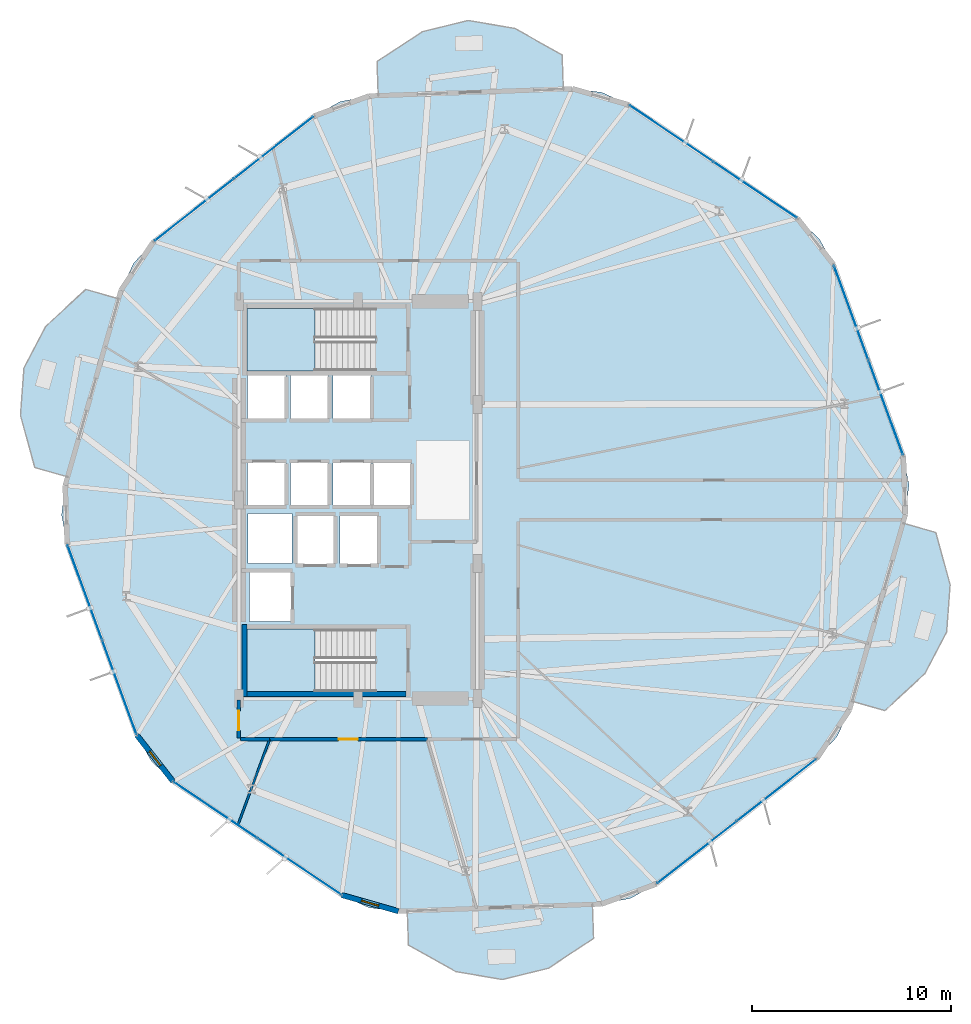
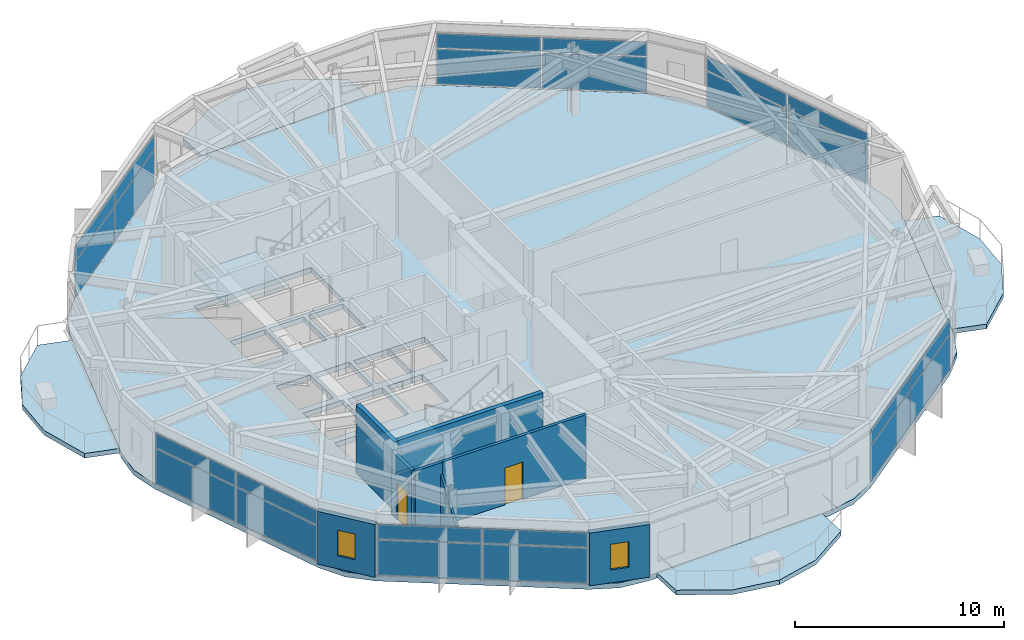
# One storey, part 15 of 21: 24 plates, 8 walls, 7 slabs, 2 doors, 2 windows, 4 openings, 8 elements without a shape of their own.
"""IFC4 building model written with IfcOpenShell, lengths in metres."""

from ifc_helpers import new_model, si_unit, direction, frame, frame_2d, origin, origin_2d, place, context, subcontext, project, spatial, polyline, rectangle, outline, extrude, material, layer, layer_set, type_object, element, fill, aggregate, save


model = new_model("IFC4")

# Units and contexts
model_context = context("Model", 3, precision=1e-05, world=origin(), true_north=direction((0.0, 1.0)))
body_context = subcontext(model_context, "Body", "Model", "MODEL_VIEW")
ifc_project = project(units=[si_unit("LENGTHUNIT", "METRE"), si_unit("AREAUNIT", "SQUARE_METRE"), si_unit("VOLUMEUNIT", "CUBIC_METRE"), si_unit("PLANEANGLEUNIT", "RADIAN"), si_unit("MASSUNIT", "GRAM", prefix="KILO")], contexts=[model_context])

# Site, building, storey
site_placement = place(None, origin())
site = spatial("IfcSite", under=ifc_project, at=site_placement, CompositionType="ELEMENT")
building_placement = place(site_placement, origin())
building = spatial("IfcBuilding", under=site, at=building_placement, Name="Soratama Intermodal Tower", CompositionType="ELEMENT")
storey_placement = place(building_placement, frame((0.0, 0.0, 34.60009765625)))
storey = spatial("IfcBuildingStorey", under=building, at=storey_placement, Name="L07", CompositionType="ELEMENT", Elevation=34.60009765625)

# Curtain wall, plates
ifc_material_1 = material(Name="Double-glazed aluminium curtain wall", Category="aluminium")
ifc_layer_1 = layer(ifc_material_1, 0.159912109375)
ifc_layer_set_1 = layer_set([ifc_layer_1], Name="Double-glazed aluminium curtain wall")
curtain_wall_type = type_object("IfcCurtainWallType", Name="CW-SYS-2", PredefinedType="NOTDEFINED", material=ifc_layer_set_1)
curtain_wall_1_placement = place(storey_placement, origin())
curtain_wall_1 = element("IfcCurtainWall", 1, at=curtain_wall_1_placement, inside=storey, type_object=curtain_wall_type, Name="L07 Faceted Curtain Wall F01", PredefinedType="NOTDEFINED")
ifc_material_2 = material(Name="Low-E laminated double glazing", Category="glass")
ifc_layer_2 = layer(ifc_material_2, 0.031982421875)
ifc_layer_set_2 = layer_set([ifc_layer_2], Name="Low-E laminated double glazing")
plate_type = type_object("IfcPlateType", Name="PT-CWP-2", PredefinedType="CURTAIN_PANEL", material=ifc_layer_set_2)
plate_1_placement = place(storey_placement, frame((65.1591796875, 29.648681640625, 0.059814453125), z_axis=(0.0, 0.0, 1.0), x_axis=(-0.342679098735, 0.939452518912, 0.0)))
plate_1 = element("IfcPlate", 2, at=plate_1_placement, type_object=plate_type, Name="CW-2 panel 1.1", PredefinedType="CURTAIN_PANEL", context=body_context, shape_type="SweptSolid", body=[
    extrude(rectangle(XDim=5.021484375, YDim=0.028076171875, at=origin_2d()), origin(), (0.0, 0.0, 1.0), 2.06005859375),
])
plate_2_placement = place(storey_placement, frame((65.1591796875, 29.648681640625, 2.1796875), z_axis=(0.0, 0.0, 1.0), x_axis=(-0.342679098735, 0.939452518912, 0.0)))
plate_2 = element("IfcPlate", 3, at=plate_2_placement, type_object=plate_type, Name="CW-2 panel 1.2", PredefinedType="CURTAIN_PANEL", context=body_context, shape_type="SweptSolid", body=[
    extrude(rectangle(XDim=5.021484375, YDim=0.028076171875, at=origin_2d()), origin(), (0.0, 0.0, 1.0), 0.839111328125),
])
plate_3_placement = place(storey_placement, frame((63.417724609375, 34.422607421875, 0.059814453125), z_axis=(0.0, 0.0, 1.0), x_axis=(-0.342679098735, 0.939452518912, 0.0)))
plate_3 = element("IfcPlate", 4, at=plate_3_placement, type_object=plate_type, Name="CW-2 panel 2.1", PredefinedType="CURTAIN_PANEL", context=body_context, shape_type="SweptSolid", body=[
    extrude(rectangle(XDim=5.021484375, YDim=0.028076171875, at=origin_2d()), origin(), (0.0, 0.0, 1.0), 2.06005859375),
])
plate_4_placement = place(storey_placement, frame((63.417724609375, 34.422607421875, 2.1796875), z_axis=(0.0, 0.0, 1.0), x_axis=(-0.342679098735, 0.939452518912, 0.0)))
plate_4 = element("IfcPlate", 5, at=plate_4_placement, type_object=plate_type, Name="CW-2 panel 2.2", PredefinedType="CURTAIN_PANEL", context=body_context, shape_type="SweptSolid", body=[
    extrude(rectangle(XDim=5.021484375, YDim=0.028076171875, at=origin_2d()), origin(), (0.0, 0.0, 1.0), 0.839111328125),
])
aggregate(curtain_wall_1, [plate_1, plate_2, plate_3, plate_4])

curtain_wall_2_placement = place(storey_placement, origin())
curtain_wall_2 = element("IfcCurtainWall", 6, at=curtain_wall_2_placement, inside=storey, type_object=curtain_wall_type, Name="L07 Faceted Curtain Wall F02", PredefinedType="NOTDEFINED")
plate_5_placement = place(storey_placement, frame((58.57666015625, 40.610107421875, 0.059814453125), z_axis=(0.0, 0.0, 1.0), x_axis=(-0.82943008257, 0.558610542443, 0.0)))
plate_5 = element("IfcPlate", 7, at=plate_5_placement, type_object=plate_type, Name="CW-2 panel 1.1", PredefinedType="CURTAIN_PANEL", context=body_context, shape_type="SweptSolid", body=[
    extrude(rectangle(XDim=5.021484375, YDim=0.028076171875, at=origin_2d()), origin(), (0.0, 0.0, 1.0), 2.06005859375),
])
plate_6_placement = place(storey_placement, frame((58.57666015625, 40.610107421875, 2.1796875), z_axis=(0.0, 0.0, 1.0), x_axis=(-0.82943008257, 0.558610542443, 0.0)))
plate_6 = element("IfcPlate", 8, at=plate_6_placement, type_object=plate_type, Name="CW-2 panel 1.2", PredefinedType="CURTAIN_PANEL", context=body_context, shape_type="SweptSolid", body=[
    extrude(rectangle(XDim=5.021484375, YDim=0.028076171875, at=origin_2d()), origin(), (0.0, 0.0, 1.0), 0.839111328125),
])
plate_7_placement = place(storey_placement, frame((54.36181640625, 43.44873046875, 0.059814453125), z_axis=(0.0, 0.0, 1.0), x_axis=(-0.82943008257, 0.558610542443, 0.0)))
plate_7 = element("IfcPlate", 9, at=plate_7_placement, type_object=plate_type, Name="CW-2 panel 2.1", PredefinedType="CURTAIN_PANEL", context=body_context, shape_type="SweptSolid", body=[
    extrude(rectangle(XDim=5.021484375, YDim=0.028076171875, at=origin_2d()), origin(), (0.0, 0.0, 1.0), 2.06005859375),
])
plate_8_placement = place(storey_placement, frame((54.36181640625, 43.44873046875, 2.1796875), z_axis=(0.0, 0.0, 1.0), x_axis=(-0.82943008257, 0.558610542443, 0.0)))
plate_8 = element("IfcPlate", 10, at=plate_8_placement, type_object=plate_type, Name="CW-2 panel 2.2", PredefinedType="CURTAIN_PANEL", context=body_context, shape_type="SweptSolid", body=[
    extrude(rectangle(XDim=5.021484375, YDim=0.028076171875, at=origin_2d()), origin(), (0.0, 0.0, 1.0), 0.839111328125),
])
aggregate(curtain_wall_2, [plate_5, plate_6, plate_7, plate_8])

curtain_wall_3_placement = place(storey_placement, origin())
curtain_wall_3 = element("IfcCurtainWall", 11, at=curtain_wall_3_placement, inside=storey, type_object=curtain_wall_type, Name="L07 Faceted Curtain Wall F04", PredefinedType="NOTDEFINED")
plate_9_placement = place(storey_placement, frame((34.34912109375, 42.73583984375, 0.059814453125), z_axis=(0.0, 0.0, 1.0), x_axis=(-0.787576003076, -0.616217526023, 0.0)))
plate_9 = element("IfcPlate", 12, at=plate_9_placement, type_object=plate_type, Name="CW-2 panel 1.1", PredefinedType="CURTAIN_PANEL", context=body_context, shape_type="SweptSolid", body=[
    extrude(rectangle(XDim=5.021484375, YDim=0.028076171875, at=origin_2d()), origin(), (0.0, 0.0, 1.0), 2.06005859375),
])
plate_10_placement = place(storey_placement, frame((34.34912109375, 42.73583984375, 2.1796875), z_axis=(0.0, 0.0, 1.0), x_axis=(-0.787576003076, -0.616217526023, 0.0)))
plate_10 = element("IfcPlate", 13, at=plate_10_placement, type_object=plate_type, Name="CW-2 panel 1.2", PredefinedType="CURTAIN_PANEL", context=body_context, shape_type="SweptSolid", body=[
    extrude(rectangle(XDim=5.021484375, YDim=0.028076171875, at=origin_2d()), origin(), (0.0, 0.0, 1.0), 0.839111328125),
])
plate_11_placement = place(storey_placement, frame((30.34716796875, 39.604736328125, 0.059814453125), z_axis=(0.0, 0.0, 1.0), x_axis=(-0.787576003076, -0.616217526023, 0.0)))
plate_11 = element("IfcPlate", 14, at=plate_11_placement, type_object=plate_type, Name="CW-2 panel 2.1", PredefinedType="CURTAIN_PANEL", context=body_context, shape_type="SweptSolid", body=[
    extrude(rectangle(XDim=5.021484375, YDim=0.028076171875, at=origin_2d()), origin(), (0.0, 0.0, 1.0), 2.06005859375),
])
plate_12_placement = place(storey_placement, frame((30.34716796875, 39.604736328125, 2.1796875), z_axis=(0.0, 0.0, 1.0), x_axis=(-0.787576003076, -0.616217526023, 0.0)))
plate_12 = element("IfcPlate", 15, at=plate_12_placement, type_object=plate_type, Name="CW-2 panel 2.2", PredefinedType="CURTAIN_PANEL", context=body_context, shape_type="SweptSolid", body=[
    extrude(rectangle(XDim=5.021484375, YDim=0.028076171875, at=origin_2d()), origin(), (0.0, 0.0, 1.0), 0.839111328125),
])
aggregate(curtain_wall_3, [plate_9, plate_10, plate_11, plate_12])

curtain_wall_4_placement = place(storey_placement, origin())
curtain_wall_4 = element("IfcCurtainWall", 16, at=curtain_wall_4_placement, inside=storey, type_object=curtain_wall_type, Name="L07 Faceted Curtain Wall F06", PredefinedType="NOTDEFINED")
plate_13_placement = place(storey_placement, frame((24.8408203125, 20.351318359375, 0.059814453125), z_axis=(0.0, 0.0, 1.0), x_axis=(0.342679098735, -0.939452518912, 0.0)))
plate_13 = element("IfcPlate", 17, at=plate_13_placement, type_object=plate_type, Name="CW-2 panel 1.1", PredefinedType="CURTAIN_PANEL", context=body_context, shape_type="SweptSolid", body=[
    extrude(rectangle(XDim=5.021484375, YDim=0.028076171875, at=origin_2d()), origin(), (0.0, 0.0, 1.0), 2.06005859375),
])
plate_14_placement = place(storey_placement, frame((24.8408203125, 20.351318359375, 2.1796875), z_axis=(0.0, 0.0, 1.0), x_axis=(0.342679098735, -0.939452518912, 0.0)))
plate_14 = element("IfcPlate", 18, at=plate_14_placement, type_object=plate_type, Name="CW-2 panel 1.2", PredefinedType="CURTAIN_PANEL", context=body_context, shape_type="SweptSolid", body=[
    extrude(rectangle(XDim=5.021484375, YDim=0.028076171875, at=origin_2d()), origin(), (0.0, 0.0, 1.0), 0.839111328125),
])
plate_15_placement = place(storey_placement, frame((26.582275390625, 15.577392578125, 0.059814453125), z_axis=(0.0, 0.0, 1.0), x_axis=(0.342679098735, -0.939452518912, 0.0)))
plate_15 = element("IfcPlate", 19, at=plate_15_placement, type_object=plate_type, Name="CW-2 panel 2.1", PredefinedType="CURTAIN_PANEL", context=body_context, shape_type="SweptSolid", body=[
    extrude(rectangle(XDim=5.021484375, YDim=0.028076171875, at=origin_2d()), origin(), (0.0, 0.0, 1.0), 2.06005859375),
])
plate_16_placement = place(storey_placement, frame((26.582275390625, 15.577392578125, 2.1796875), z_axis=(0.0, 0.0, 1.0), x_axis=(0.342679098735, -0.939452518912, 0.0)))
plate_16 = element("IfcPlate", 20, at=plate_16_placement, type_object=plate_type, Name="CW-2 panel 2.2", PredefinedType="CURTAIN_PANEL", context=body_context, shape_type="SweptSolid", body=[
    extrude(rectangle(XDim=5.021484375, YDim=0.028076171875, at=origin_2d()), origin(), (0.0, 0.0, 1.0), 0.839111328125),
])
aggregate(curtain_wall_4, [plate_13, plate_14, plate_15, plate_16])

curtain_wall_5_placement = place(storey_placement, origin())
curtain_wall_5 = element("IfcCurtainWall", 21, at=curtain_wall_5_placement, inside=storey, type_object=curtain_wall_type, Name="L07 Faceted Curtain Wall F07", PredefinedType="NOTDEFINED")
plate_17_placement = place(storey_placement, frame((31.42333984375, 9.389892578125, 0.059814453125), z_axis=(0.0, 0.0, 1.0), x_axis=(0.82943008257, -0.558610542443, 0.0)))
plate_17 = element("IfcPlate", 22, at=plate_17_placement, type_object=plate_type, Name="CW-2 panel 1.1", PredefinedType="CURTAIN_PANEL", context=body_context, shape_type="SweptSolid", body=[
    extrude(rectangle(XDim=5.021484375, YDim=0.028076171875, at=origin_2d()), origin(), (0.0, 0.0, 1.0), 2.06005859375),
])
plate_18_placement = place(storey_placement, frame((31.42333984375, 9.389892578125, 2.1796875), z_axis=(0.0, 0.0, 1.0), x_axis=(0.82943008257, -0.558610542443, 0.0)))
plate_18 = element("IfcPlate", 23, at=plate_18_placement, type_object=plate_type, Name="CW-2 panel 1.2", PredefinedType="CURTAIN_PANEL", context=body_context, shape_type="SweptSolid", body=[
    extrude(rectangle(XDim=5.021484375, YDim=0.028076171875, at=origin_2d()), origin(), (0.0, 0.0, 1.0), 0.839111328125),
])
plate_19_placement = place(storey_placement, frame((35.63818359375, 6.55126953125, 0.059814453125), z_axis=(0.0, 0.0, 1.0), x_axis=(0.82943008257, -0.558610542443, 0.0)))
plate_19 = element("IfcPlate", 24, at=plate_19_placement, type_object=plate_type, Name="CW-2 panel 2.1", PredefinedType="CURTAIN_PANEL", context=body_context, shape_type="SweptSolid", body=[
    extrude(rectangle(XDim=5.021484375, YDim=0.028076171875, at=origin_2d()), origin(), (0.0, 0.0, 1.0), 2.06005859375),
])
plate_20_placement = place(storey_placement, frame((35.63818359375, 6.55126953125, 2.1796875), z_axis=(0.0, 0.0, 1.0), x_axis=(0.82943008257, -0.558610542443, 0.0)))
plate_20 = element("IfcPlate", 25, at=plate_20_placement, type_object=plate_type, Name="CW-2 panel 2.2", PredefinedType="CURTAIN_PANEL", context=body_context, shape_type="SweptSolid", body=[
    extrude(rectangle(XDim=5.021484375, YDim=0.028076171875, at=origin_2d()), origin(), (0.0, 0.0, 1.0), 0.839111328125),
])
aggregate(curtain_wall_5, [plate_17, plate_18, plate_19, plate_20])

curtain_wall_6_placement = place(storey_placement, origin())
curtain_wall_6 = element("IfcCurtainWall", 26, at=curtain_wall_6_placement, inside=storey, type_object=curtain_wall_type, Name="L07 Faceted Curtain Wall F09", PredefinedType="NOTDEFINED")
plate_21_placement = place(storey_placement, frame((55.65087890625, 7.26416015625, 0.059814453125), z_axis=(0.0, 0.0, 1.0), x_axis=(0.787576003076, 0.616217526023, 0.0)))
plate_21 = element("IfcPlate", 27, at=plate_21_placement, type_object=plate_type, Name="CW-2 panel 1.1", PredefinedType="CURTAIN_PANEL", context=body_context, shape_type="SweptSolid", body=[
    extrude(rectangle(XDim=5.021484375, YDim=0.028076171875, at=origin_2d()), origin(), (0.0, 0.0, 1.0), 2.06005859375),
])
plate_22_placement = place(storey_placement, frame((55.65087890625, 7.26416015625, 2.1796875), z_axis=(0.0, 0.0, 1.0), x_axis=(0.787576003076, 0.616217526023, 0.0)))
plate_22 = element("IfcPlate", 28, at=plate_22_placement, type_object=plate_type, Name="CW-2 panel 1.2", PredefinedType="CURTAIN_PANEL", context=body_context, shape_type="SweptSolid", body=[
    extrude(rectangle(XDim=5.021484375, YDim=0.028076171875, at=origin_2d()), origin(), (0.0, 0.0, 1.0), 0.839111328125),
])
plate_23_placement = place(storey_placement, frame((59.65283203125, 10.395263671875, 0.059814453125), z_axis=(0.0, 0.0, 1.0), x_axis=(0.787576003076, 0.616217526023, 0.0)))
plate_23 = element("IfcPlate", 29, at=plate_23_placement, type_object=plate_type, Name="CW-2 panel 2.1", PredefinedType="CURTAIN_PANEL", context=body_context, shape_type="SweptSolid", body=[
    extrude(rectangle(XDim=5.021484375, YDim=0.028076171875, at=origin_2d()), origin(), (0.0, 0.0, 1.0), 2.06005859375),
])
plate_24_placement = place(storey_placement, frame((59.65283203125, 10.395263671875, 2.1796875), z_axis=(0.0, 0.0, 1.0), x_axis=(0.787576003076, 0.616217526023, 0.0)))
plate_24 = element("IfcPlate", 30, at=plate_24_placement, type_object=plate_type, Name="CW-2 panel 2.2", PredefinedType="CURTAIN_PANEL", context=body_context, shape_type="SweptSolid", body=[
    extrude(rectangle(XDim=5.021484375, YDim=0.028076171875, at=origin_2d()), origin(), (0.0, 0.0, 1.0), 0.839111328125),
])
aggregate(curtain_wall_6, [plate_21, plate_22, plate_23, plate_24])

# Slabs
ifc_material_3 = material(Name="Concrete f'c 42 MPa", Category="concrete")
ifc_layer_3 = layer(ifc_material_3, 0.27001953125)
ifc_layer_set_3 = layer_set([ifc_layer_3], Name="Concrete f'c 42 MPa")
slab_type_1 = type_object("IfcSlabType", Name="SL-EXT-BAL1", PredefinedType="FLOOR", material=ifc_layer_set_3)
slab_1_placement = place(storey_placement, frame((0.0, 0.0, -0.27001953125)))
element("IfcSlab", 31, at=slab_1_placement, inside=storey, type_object=slab_type_1, Name="L07 Planted Balcony East 1", PredefinedType="FLOOR", context=body_context, shape_type="SweptSolid", body=[
    extrude(outline(polyline([(63.45849609375, 14.872802734375), (66.02197265625, 23.836181640625), (67.67578125, 23.36328125), (68.3955078125, 20.7333984375), (68.220703125, 18.359130859375), (67.11376953125, 16.25146484375), (65.112060546875, 14.399658203125), (63.45849609375, 14.872802734375)])), origin(), (0.0, 0.0, 1.0), 0.27001953125),
])
slab_2_placement = place(storey_placement, frame((0.0, 0.0, -0.27001953125)))
element("IfcSlab", 32, at=slab_2_placement, inside=storey, type_object=slab_type_1, Name="L07 Planted Balcony North 2", PredefinedType="FLOOR", context=body_context, shape_type="SweptSolid", body=[
    extrude(outline(polyline([(48.927734375, 45.6845703125), (39.610595703125, 45.3525390625), (39.54931640625, 47.071533203125), (41.828369140625, 48.56884765625), (44.140380859375, 49.13623046875), (46.48681640625, 48.734619140625), (48.866455078125, 47.4033203125), (48.927734375, 45.6845703125)])), origin(), (0.0, 0.0, 1.0), 0.27001953125),
])
slab_3_placement = place(storey_placement, frame((0.0, 0.0, -0.27001953125)))
element("IfcSlab", 33, at=slab_3_placement, inside=storey, type_object=slab_type_1, Name="L07 Planted Balcony West 3", PredefinedType="FLOOR", context=body_context, shape_type="SweptSolid", body=[
    extrude(outline(polyline([(26.54150390625, 35.127197265625), (23.97802734375, 26.163818359375), (22.32421875, 26.63671875), (21.6044921875, 29.2666015625), (21.779296875, 31.640869140625), (22.88623046875, 33.74853515625), (24.887939453125, 35.600341796875), (26.54150390625, 35.127197265625)])), origin(), (0.0, 0.0, 1.0), 0.27001953125),
])
slab_4_placement = place(storey_placement, frame((0.0, 0.0, -0.27001953125)))
element("IfcSlab", 34, at=slab_4_placement, inside=storey, type_object=slab_type_1, Name="L07 Planted Balcony South 4", PredefinedType="FLOOR", context=body_context, shape_type="SweptSolid", body=[
    extrude(outline(polyline([(41.072265625, 4.3154296875), (50.389404296875, 4.6474609375), (50.45068359375, 2.928466796875), (48.171630859375, 1.43115234375), (45.859619140625, 0.86376953125), (43.51318359375, 1.265380859375), (41.133544921875, 2.5966796875), (41.072265625, 4.3154296875)])), origin(), (0.0, 0.0, 1.0), 0.27001953125),
])

# Stair, slab
ifc_material_4 = material(Name="Concrete f'c 42 MPa", Category="concrete")
stair_type = type_object("IfcStairType", Name="ST-CORE-DOGLEG", PredefinedType="HALF_TURN_STAIR", material=ifc_material_4)
stair_1_placement = place(storey_placement, origin())
stair_1 = element("IfcStair", 35, at=stair_1_placement, inside=storey, type_object=stair_type, Name="L07 ST-1", PredefinedType="HALF_TURN_STAIR")
ifc_material_5 = material(Name="Concrete f'c 42 MPa", Category="concrete")
ifc_layer_4 = layer(ifc_material_5, 0.219970703125)
ifc_layer_set_4 = layer_set([ifc_layer_4], Name="Concrete f'c 42 MPa")
slab_type_2 = type_object("IfcSlabType", Name="SL-STAIR-LAND", PredefinedType="LANDING", material=ifc_layer_set_4)
slab_5_placement = place(storey_placement, frame((0.0, 0.0, 1.7998046875)))
slab_5 = element("IfcSlab", 36, at=slab_5_placement, type_object=slab_type_2, Name="ST-1 landing 1", PredefinedType="LANDING", context=body_context, shape_type="SweptSolid", body=[
    extrude(outline(polyline([(36.419921875, 18.5), (33.0, 18.5), (33.0, 15.35009765625), (36.419921875, 15.35009765625), (36.419921875, 18.5)])), origin(), (0.0, 0.0, 1.0), 0.2001953125),
])
aggregate(stair_1, [slab_5])

stair_2_placement = place(storey_placement, origin())
stair_2 = element("IfcStair", 37, at=stair_2_placement, inside=storey, type_object=stair_type, Name="L07 ST-2", PredefinedType="HALF_TURN_STAIR")
slab_6_placement = place(storey_placement, frame((0.0, 0.0, 1.7998046875)))
slab_6 = element("IfcSlab", 38, at=slab_6_placement, type_object=slab_type_2, Name="ST-2 landing 1", PredefinedType="LANDING", context=body_context, shape_type="SweptSolid", body=[
    extrude(outline(polyline([(36.419921875, 34.64990234375), (33.0, 34.64990234375), (33.0, 31.5), (36.419921875, 31.5), (36.419921875, 34.64990234375)])), origin(), (0.0, 0.0, 1.0), 0.2001953125),
])
aggregate(stair_2, [slab_6])

# Slab
ifc_material_6 = material(Name="Concrete f'c 42 MPa", Category="concrete")
ifc_layer_5 = layer(ifc_material_6, 0.280029296875)
ifc_layer_set_5 = layer_set([ifc_layer_5], Name="Concrete f'c 42 MPa")
slab_type_3 = type_object("IfcSlabType", Name="SL-TWR-280", PredefinedType="FLOOR", material=ifc_layer_set_5)
slab_7_placement = place(storey_placement, frame((0.0, 0.0, -0.300048828125)))
element("IfcSlab", 39, at=slab_7_placement, inside=storey, type_object=slab_type_3, Name="L07 Structural Floor Slab", PredefinedType="FLOOR", context=body_context, shape_type="SweptSolid", body=[
    extrude(outline(polyline([(66.145751953125, 24.26904296875), (66.32763671875, 25.759765625), (66.0400390625, 27.233642578125), (62.536865234375, 36.837646484375), (61.807861328125, 38.150634765625), (60.708984375, 39.174072265625), (52.2294921875, 44.884765625), (50.8681640625, 45.5185546875), (49.37744140625, 45.700439453125), (39.160888671875, 45.336669921875), (37.68701171875, 45.049072265625), (36.373779296875, 44.320068359375), (28.322509765625, 38.0205078125), (27.299072265625, 36.92138671875), (26.665283203125, 35.56005859375), (23.854248046875, 25.73095703125), (23.67236328125, 24.240234375), (23.9599609375, 22.766357421875), (27.463134765625, 13.162353515625), (28.192138671875, 11.849365234375), (29.291015625, 10.825927734375), (37.7705078125, 5.115234375), (39.1318359375, 4.4814453125), (40.62255859375, 4.299560546875), (50.839111328125, 4.663330078125), (52.31298828125, 4.950927734375), (53.626220703125, 5.679931640625), (61.677490234375, 11.9794921875), (62.700927734375, 13.07861328125), (63.334716796875, 14.43994140625), (66.145751953125, 24.26904296875)]), holes=[polyline([(33.0, 18.5), (33.0, 15.35009765625), (39.47509765625, 15.35009765625), (39.47509765625, 18.5), (33.0, 18.5)]), polyline([(35.260009765625, 18.889892578125), (35.260009765625, 21.409912109375), (33.139892578125, 21.409912109375), (33.139892578125, 18.889892578125), (35.260009765625, 18.889892578125)]), polyline([(33.050048828125, 21.800048828125), (35.280029296875, 21.800048828125), (35.280029296875, 24.320068359375), (33.050048828125, 24.320068359375), (33.050048828125, 21.800048828125)]), polyline([(34.9599609375, 26.909912109375), (33.0400390625, 26.909912109375), (33.0400390625, 24.68994140625), (34.9599609375, 24.68994140625), (34.9599609375, 26.909912109375)]), polyline([(37.110107421875, 24.68994140625), (37.110107421875, 26.909912109375), (35.18994140625, 26.909912109375), (35.18994140625, 24.68994140625), (37.110107421875, 24.68994140625)]), polyline([(34.9599609375, 29.0400390625), (34.9599609375, 31.260009765625), (33.0400390625, 31.260009765625), (33.0400390625, 29.0400390625), (34.9599609375, 29.0400390625)]), polyline([(37.110107421875, 31.260009765625), (35.18994140625, 31.260009765625), (35.18994140625, 29.0400390625), (37.110107421875, 29.0400390625), (37.110107421875, 31.260009765625)]), polyline([(37.409912109375, 21.739990234375), (37.409912109375, 24.260009765625), (35.489990234375, 24.260009765625), (35.489990234375, 21.739990234375), (37.409912109375, 21.739990234375)]), polyline([(39.610107421875, 21.739990234375), (39.610107421875, 24.260009765625), (37.68994140625, 24.260009765625), (37.68994140625, 21.739990234375), (39.610107421875, 21.739990234375)]), polyline([(39.260009765625, 24.68994140625), (39.260009765625, 26.909912109375), (37.340087890625, 26.909912109375), (37.340087890625, 24.68994140625), (39.260009765625, 24.68994140625)]), polyline([(41.260009765625, 24.68994140625), (41.260009765625, 26.909912109375), (39.340087890625, 26.909912109375), (39.340087890625, 24.68994140625), (41.260009765625, 24.68994140625)]), polyline([(39.260009765625, 29.0400390625), (39.260009765625, 31.260009765625), (37.340087890625, 31.260009765625), (37.340087890625, 29.0400390625), (39.260009765625, 29.0400390625)]), polyline([(39.47509765625, 34.64990234375), (33.0, 34.64990234375), (33.0, 31.5), (39.47509765625, 31.5), (39.47509765625, 34.64990234375)])]), origin(), (0.0, 0.0, 1.0), 0.300048828125),
])

# Wall, opening, window
ifc_material_7 = material(Name="Concrete f'c 42 MPa", Category="concrete")
ifc_layer_6 = layer(ifc_material_7, 0.27001953125)
ifc_layer_set_6 = layer_set([ifc_layer_6], Name="Concrete f'c 42 MPa")
wall_type_1 = type_object("IfcWallType", Name="EW-CRN-270", PredefinedType="SOLIDWALL", material=ifc_layer_set_6)
wall_1_placement = place(storey_placement, frame((27.463134765625, 13.162353515625, 0.0), z_axis=(0.0, 0.0, 1.0), x_axis=(0.616177326297, -0.78760745461, 0.0)))
wall_1 = element("IfcWall", 40, at=wall_1_placement, inside=storey, type_object=wall_type_1, Name="L07 Corner Closure Wall 06", PredefinedType="SOLIDWALL", context=body_context, shape_type="SweptSolid", body=[
    extrude(rectangle(XDim=2.966552734375, YDim=0.27001953125, at=frame_2d((1.4833984375, 0.0))), origin(), (0.0, 0.0, 1.0), 3.078857421875),
])
opening_1_placement = place(wall_1_placement, frame((1.033203125, 0.0, 0.75)))
opening_1 = element("IfcOpeningElement", 41, at=opening_1_placement, cuts=wall_1, Name="Opening WN-6", PredefinedType="OPENING", context=body_context, shape_type="SweptSolid", body=[
    extrude(rectangle(XDim=0.89990234375, YDim=1.5, at=frame_2d((0.449951171875, 0.75))), frame((0.0, 0.14501953125, 0.0), z_axis=(0.0, -1.0, 0.0), x_axis=(1.0, 0.0, 0.0)), (0.0, 0.0, 1.0), 0.2900390625),
])
ifc_material_8 = material(Name="Double-glazed aluminium window", Category="aluminium")
window_type = type_object("IfcWindowType", Name="WN-FAC-900", PartitioningType="SINGLE_PANEL", PredefinedType="WINDOW", material=ifc_material_8)
window_1_placement = place(opening_1_placement, origin())
window_1 = element("IfcWindow", 42, at=window_1_placement, inside=storey, type_object=window_type, Name="L07 Corner Window 06", OverallHeight=1.5, OverallWidth=0.89990234375, PartitioningType="SINGLE_PANEL", PredefinedType="WINDOW", context=body_context, shape_type="SweptSolid", body=[
    extrude(rectangle(XDim=0.89990234375, YDim=1.5, at=frame_2d((0.449951171875, 0.75))), frame((0.0, 0.030029296875, 0.0), z_axis=(0.0, -1.0, 0.0), x_axis=(1.0, 0.0, 0.0)), (0.0, 0.0, 1.0), 0.06005859375),
])
fill(opening_1, window_1)

wall_2_placement = place(storey_placement, frame((37.7705078125, 5.115234375, 0.0), z_axis=(0.0, 0.0, 1.0), x_axis=(0.961452483174, -0.274971130481, 0.0)))
wall_2 = element("IfcWall", 43, at=wall_2_placement, inside=storey, type_object=wall_type_1, Name="L07 Corner Closure Wall 07", PredefinedType="SOLIDWALL", context=body_context, shape_type="SweptSolid", body=[
    extrude(rectangle(XDim=2.96630859375, YDim=0.27001953125, at=frame_2d((1.483154296875, 0.0))), origin(), (0.0, 0.0, 1.0), 3.078857421875),
])
opening_2_placement = place(wall_2_placement, frame((1.033203125, 0.0, 0.75)))
opening_2 = element("IfcOpeningElement", 44, at=opening_2_placement, cuts=wall_2, Name="Opening WN-6", PredefinedType="OPENING", context=body_context, shape_type="SweptSolid", body=[
    extrude(rectangle(XDim=0.89990234375, YDim=1.5, at=frame_2d((0.449951171875, 0.75))), frame((0.0, 0.14501953125, 0.0), z_axis=(0.0, -1.0, 0.0), x_axis=(1.0, 0.0, 0.0)), (0.0, 0.0, 1.0), 0.2900390625),
])
window_2_placement = place(opening_2_placement, origin())
window_2 = element("IfcWindow", 45, at=window_2_placement, inside=storey, type_object=window_type, Name="L07 Corner Window 07", OverallHeight=1.5, OverallWidth=0.89990234375, PartitioningType="SINGLE_PANEL", PredefinedType="WINDOW", context=body_context, shape_type="SweptSolid", body=[
    extrude(rectangle(XDim=0.89990234375, YDim=1.5, at=frame_2d((0.449951171875, 0.75))), frame((0.0, 0.030029296875, 0.0), z_axis=(0.0, -1.0, 0.0), x_axis=(1.0, 0.0, 0.0)), (0.0, 0.0, 1.0), 0.06005859375),
])
fill(opening_2, window_2)

# Wall, opening, door
ifc_material_9 = material(Name="Fire-rated gypsum stud partition", Category="concrete")
ifc_layer_7 = layer(ifc_material_9, 0.169921875)
ifc_layer_set_7 = layer_set([ifc_layer_7], Name="Fire-rated gypsum stud partition")
wall_type_2 = type_object("IfcWallType", Name="IW-PART-R170", PredefinedType="PARTITIONING", material=ifc_layer_set_7)
wall_3_placement = place(storey_placement, frame((42.093994140625, 12.949951171875, 0.0), z_axis=(0.0, 0.0, 1.0), x_axis=(-1.0, 0.0, 0.0)))
wall_3 = element("IfcWall", 46, at=wall_3_placement, inside=storey, type_object=wall_type_2, Name="L07 Partition W-L07-TP009", PredefinedType="PARTITIONING", context=body_context, shape_type="SweptSolid", body=[
    extrude(rectangle(XDim=7.950927734375, YDim=0.169921875, at=frame_2d((3.9755859375, 0.0))), origin(), (0.0, 0.0, 1.0), 3.699951171875),
])
opening_3_placement = place(wall_3_placement, frame((3.5009765625, 0.0, 0.0)))
opening_3 = element("IfcOpeningElement", 47, at=opening_3_placement, cuts=wall_3, Name="Opening ID-5", PredefinedType="OPENING", context=body_context, shape_type="SweptSolid", body=[
    extrude(rectangle(XDim=0.97998046875, YDim=2.14990234375, at=frame_2d((0.489990234375, 1.074951171875))), frame((0.0, 0.094970703125, 0.0), z_axis=(0.0, -1.0, 0.0), x_axis=(1.0, 0.0, 0.0)), (0.0, 0.0, 1.0), 0.18994140625),
])
ifc_material_10 = material(Name="Solid hardwood acoustic door", Category="wood")
door_type = type_object("IfcDoorType", Name="DR-OFF-980", OperationType="NOTDEFINED", PredefinedType="DOOR", material=ifc_material_10)
door_1_placement = place(opening_3_placement, origin())
door_1 = element("IfcDoor", 48, at=door_1_placement, inside=storey, type_object=door_type, Name="L07 Door D-L07-TP004", OperationType="SINGLE_SWING_LEFT", OverallHeight=2.14990234375, OverallWidth=0.97998046875, PredefinedType="DOOR", context=body_context, shape_type="SweptSolid", body=[
    extrude(rectangle(XDim=0.97998046875, YDim=2.14990234375, at=frame_2d((0.489990234375, 1.074951171875))), frame((0.0, 0.02490234375, 0.0), z_axis=(0.0, -1.0, 0.0), x_axis=(1.0, 0.0, 0.0)), (0.0, 0.0, 1.0), 0.050048828125),
])
fill(opening_3, door_1)

wall_4_placement = place(storey_placement, frame((32.60009765625, 13.02001953125, 0.0), z_axis=(0.0, 0.0, 1.0), x_axis=(0.0, 1.0, 0.0)))
wall_4 = element("IfcWall", 49, at=wall_4_placement, inside=storey, type_object=wall_type_2, Name="L07 Partition W-L07-TP020", PredefinedType="PARTITIONING", context=body_context, shape_type="SweptSolid", body=[
    extrude(rectangle(XDim=1.909912109375, YDim=0.169921875, at=frame_2d((0.955078125, 0.0))), origin(), (0.0, 0.0, 1.0), 3.699951171875),
])
opening_4_placement = place(wall_4_placement, frame((0.384033203125, 0.0, 0.0)))
opening_4 = element("IfcOpeningElement", 50, at=opening_4_placement, cuts=wall_4, Name="Opening ID-5", PredefinedType="OPENING", context=body_context, shape_type="SweptSolid", body=[
    extrude(rectangle(XDim=0.97998046875, YDim=2.14990234375, at=frame_2d((0.489990234375, 1.074951171875))), frame((0.0, 0.094970703125, 0.0), z_axis=(0.0, -1.0, 0.0), x_axis=(1.0, 0.0, 0.0)), (0.0, 0.0, 1.0), 0.18994140625),
])
door_2_placement = place(opening_4_placement, origin())
door_2 = element("IfcDoor", 51, at=door_2_placement, inside=storey, type_object=door_type, Name="L07 Door D-L07-TP011", OperationType="SINGLE_SWING_RIGHT", OverallHeight=2.14990234375, OverallWidth=0.97998046875, PredefinedType="DOOR", context=body_context, shape_type="SweptSolid", body=[
    extrude(rectangle(XDim=0.97998046875, YDim=2.14990234375, at=frame_2d((0.489990234375, 1.074951171875))), frame((0.0, 0.02490234375, 0.0), z_axis=(0.0, -1.0, 0.0), x_axis=(1.0, 0.0, 0.0)), (0.0, 0.0, 1.0), 0.050048828125),
])
fill(opening_4, door_2)

# Walls
wall_5_placement = place(storey_placement, frame((34.14306640625, 12.949951171875, 0.0), z_axis=(0.0, 0.0, 1.0), x_axis=(-1.0, 0.0, 0.0)))
element("IfcWall", 52, at=wall_5_placement, inside=storey, type_object=wall_type_2, Name="L07 Partition W-L07-TP024", PredefinedType="PARTITIONING", context=body_context, shape_type="SweptSolid", body=[
    extrude(rectangle(XDim=1.47314453125, YDim=0.169921875, at=frame_2d((0.736572265625, 0.0))), origin(), (0.0, 0.0, 1.0), 3.699951171875),
])
ifc_material_11 = material(Name="Fire-rated gypsum stud partition", Category="concrete")
ifc_layer_8 = layer(ifc_material_11, 0.110107421875)
ifc_layer_set_8 = layer_set([ifc_layer_8], Name="Fire-rated gypsum stud partition")
wall_type_3 = type_object("IfcWallType", Name="IW-PART-S110", PredefinedType="PARTITIONING", material=ifc_layer_set_8)
wall_6_placement = place(storey_placement, frame((34.14306640625, 12.949951171875, 0.0), z_axis=(0.0, 0.0, 1.0), x_axis=(-0.347062077262, -0.937842158642, 0.0)))
element("IfcWall", 53, at=wall_6_placement, inside=storey, type_object=wall_type_3, Name="L07 Partition W-L07-TP014", PredefinedType="PARTITIONING", context=body_context, shape_type="SweptSolid", body=[
    extrude(rectangle(XDim=4.60205078125, YDim=0.110107421875, at=frame_2d((2.301025390625, 0.0))), origin(), (0.0, 0.0, 1.0), 2.994873046875),
])
ifc_material_12 = material(Name="Concrete f'c 56 MPa", Category="concrete")
ifc_layer_9 = layer(ifc_material_12, 0.239990234375)
ifc_layer_set_9 = layer_set([ifc_layer_9], Name="Concrete f'c 56 MPa")
wall_type_4 = type_object("IfcWallType", Name="SW-STAIR-240", PredefinedType="SHEAR", material=ifc_layer_set_9)
wall_7_placement = place(storey_placement, frame((32.8798828125, 15.110107421875, 0.0), z_axis=(0.0, 0.0, 1.0), x_axis=(0.0, 1.0, 0.0)))
element("IfcWall", 54, at=wall_7_placement, inside=storey, type_object=wall_type_4, Name="L07 ST-1 Shaft Shear Wall W", PredefinedType="SHEAR", context=body_context, shape_type="SweptSolid", body=[
    extrude(rectangle(XDim=3.6298828125, YDim=0.239990234375, at=frame_2d((1.81494140625, 0.0))), origin(), (0.0, 0.0, 1.0), 4.0),
])
wall_8_placement = place(storey_placement, frame((33.0, 15.22998046875, 0.0), z_axis=(0.0, 0.0, 1.0), x_axis=(1.0, 0.0, 0.0)))
element("IfcWall", 55, at=wall_8_placement, inside=storey, type_object=wall_type_4, Name="L07 ST-1 Shaft Shear Wall S", PredefinedType="SHEAR", context=body_context, shape_type="SweptSolid", body=[
    extrude(rectangle(XDim=8.0, YDim=0.239990234375, at=frame_2d((4.0, 0.0))), origin(), (0.0, 0.0, 1.0), 4.0),
])

save(model, "model.ifc")
